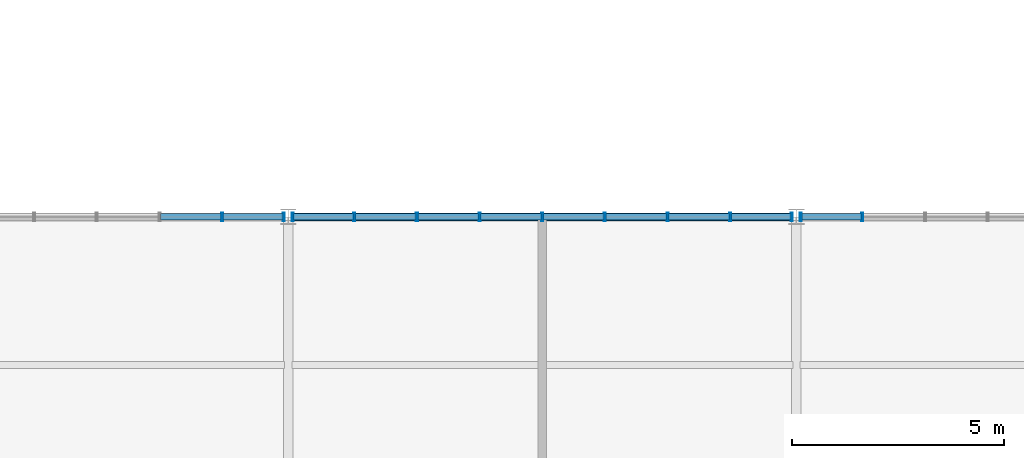
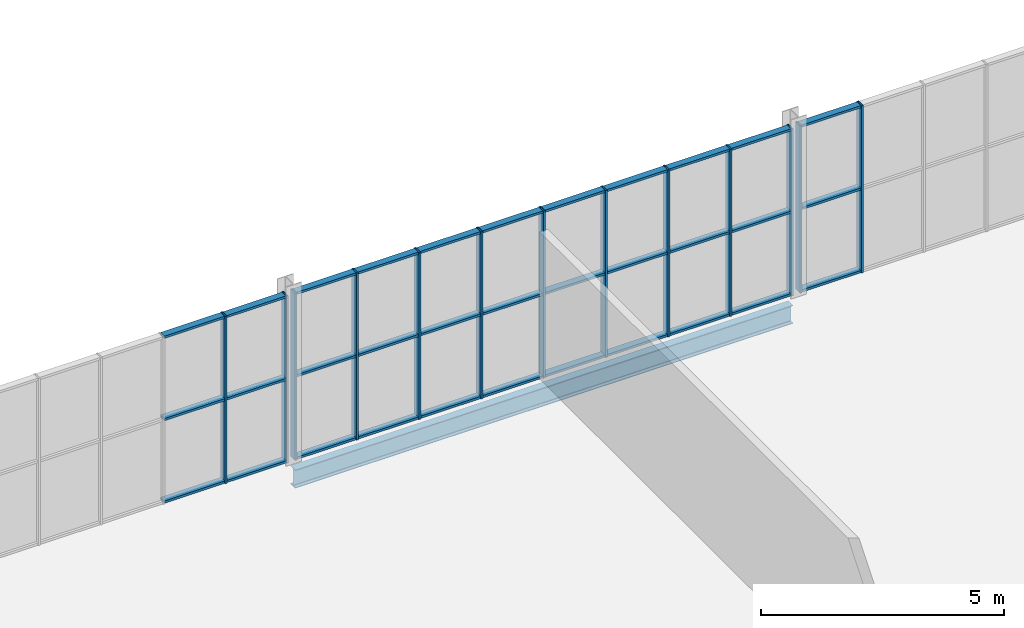
# One storey, part 227 of 324: 46 members, 1 beam, 3 elements without a shape of their own.
"""IFC4 building model written with IfcOpenShell, lengths in metres."""

from ifc_helpers import new_model, si_unit, direction, frame, origin, origin_2d, place, context, subcontext, project, spatial, hollow_rectangle, i_section, extrude, material, layer, layer_set, material_profile, profile_set, type_object, element, aggregate, save


model = new_model("IFC4")

# Units and contexts
model_context = context("Model", 3, precision=1e-05, world=origin(), true_north=direction((0.0, 1.0)))
body_context = subcontext(model_context, "Body", "Model", "MODEL_VIEW")
ifc_project = project(units=[si_unit("LENGTHUNIT", "METRE"), si_unit("AREAUNIT", "SQUARE_METRE"), si_unit("VOLUMEUNIT", "CUBIC_METRE"), si_unit("PLANEANGLEUNIT", "RADIAN"), si_unit("MASSUNIT", "GRAM", prefix="KILO")], contexts=[model_context])

# Site, building, storey
site_placement = place(None, origin())
site = spatial("IfcSite", under=ifc_project, at=site_placement, CompositionType="ELEMENT")
building_placement = place(site_placement, origin())
building = spatial("IfcBuilding", under=site, at=building_placement, Name="Solvenia Promenade Tram Depot", CompositionType="ELEMENT")
storey_placement = place(building_placement, frame((0.0, 0.0, 4.5)))
storey = spatial("IfcBuildingStorey", under=building, at=storey_placement, Name="L01", CompositionType="ELEMENT", Elevation=4.5)

# Curtain wall, members
ifc_material_1 = material(Name="Anodized aluminium AW-6063 T6", Category="aluminium")
ifc_layer = layer(ifc_material_1, 0.080078125, Name="Anodized aluminium AW-6063 T6", Category="aluminium")
ifc_layer_set = layer_set([ifc_layer], Name="Anodized aluminium AW-6063 T6")
curtain_wall_type = type_object("IfcCurtainWallType", Name="CW-Clerest-1500", PredefinedType="NOTDEFINED", material=ifc_layer_set)
curtain_wall_1_placement = place(storey_placement, origin())
curtain_wall_1 = element("IfcCurtainWall", 1, at=curtain_wall_1_placement, inside=storey, type_object=curtain_wall_type, Name="Curtain Wall CW-V2N-L1-150", PredefinedType="NOTDEFINED")
ifc_material_profile_1 = material_profile(ifc_material_1, hollow_rectangle(XDim=0.199951171875, YDim=0.048095703125, WallThickness=0.00390625, at=origin_2d()), Name="ALU-M3", Category="aluminium")
ifc_profile_set_1 = profile_set([ifc_material_profile_1], Name="Anodized aluminium AW-6063 T6")
member_type_1 = type_object("IfcMemberType", Name="CWM-Mullion-3", PredefinedType="MULLION", material=ifc_profile_set_1)
member_1_placement = place(storey_placement, frame((160.43994140625, 66.0, 0.0), z_axis=(0.0, 0.0, 1.0), x_axis=(0.0, 1.0, 0.0)))
member_1 = element("IfcMember", 2, at=member_1_placement, type_object=member_type_1, Name="CW-4 mullion 8", PredefinedType="MULLION", context=body_context, shape_type="SweptSolid", body=[
    extrude(hollow_rectangle(XDim=0.199951171875, YDim=0.048095703125, WallThickness=0.00390625, at=origin_2d()), origin(), (0.0, 0.0, 1.0), 4.199951171875),
])
member_2_placement = place(storey_placement, frame((161.89599609375, 66.0, 0.0), z_axis=(0.0, 0.0, 1.0), x_axis=(0.0, 1.0, 0.0)))
member_2 = element("IfcMember", 3, at=member_2_placement, type_object=member_type_1, Name="CW-4 mullion 9", PredefinedType="MULLION", context=body_context, shape_type="SweptSolid", body=[
    extrude(hollow_rectangle(XDim=0.199951171875, YDim=0.048095703125, WallThickness=0.00390625, at=origin_2d()), origin(), (0.0, 0.0, 1.0), 4.199951171875),
])

curtain_wall_2_placement = place(storey_placement, origin())
curtain_wall_2 = element("IfcCurtainWall", 4, at=curtain_wall_2_placement, inside=storey, type_object=curtain_wall_type, Name="Curtain Wall CW-V2N-L1-162", PredefinedType="NOTDEFINED")
member_3_placement = place(storey_placement, frame((162.10400390625, 66.0, 0.0), z_axis=(0.0, 0.0, 1.0), x_axis=(0.0, 1.0, 0.0)))
member_3 = element("IfcMember", 5, at=member_3_placement, type_object=member_type_1, Name="CW-4 mullion 1", PredefinedType="MULLION", context=body_context, shape_type="SweptSolid", body=[
    extrude(hollow_rectangle(XDim=0.199951171875, YDim=0.048095703125, WallThickness=0.00390625, at=origin_2d()), origin(), (0.0, 0.0, 1.0), 4.199951171875),
])
member_4_placement = place(storey_placement, frame((163.56005859375, 66.0, 0.0), z_axis=(0.0, 0.0, 1.0), x_axis=(0.0, 1.0, 0.0)))
member_4 = element("IfcMember", 6, at=member_4_placement, type_object=member_type_1, Name="CW-4 mullion 2", PredefinedType="MULLION", context=body_context, shape_type="SweptSolid", body=[
    extrude(hollow_rectangle(XDim=0.199951171875, YDim=0.048095703125, WallThickness=0.00390625, at=origin_2d()), origin(), (0.0, 0.0, 1.0), 4.199951171875),
])
member_5_placement = place(storey_placement, frame((165.0400390625, 66.0, 0.0), z_axis=(0.0, 0.0, 1.0), x_axis=(0.0, 1.0, 0.0)))
member_5 = element("IfcMember", 7, at=member_5_placement, type_object=member_type_1, Name="CW-4 mullion 3", PredefinedType="MULLION", context=body_context, shape_type="SweptSolid", body=[
    extrude(hollow_rectangle(XDim=0.199951171875, YDim=0.048095703125, WallThickness=0.00390625, at=origin_2d()), origin(), (0.0, 0.0, 1.0), 4.199951171875),
])
member_6_placement = place(storey_placement, frame((166.52001953125, 66.0, 0.0), z_axis=(0.0, 0.0, 1.0), x_axis=(0.0, 1.0, 0.0)))
member_6 = element("IfcMember", 8, at=member_6_placement, type_object=member_type_1, Name="CW-4 mullion 4", PredefinedType="MULLION", context=body_context, shape_type="SweptSolid", body=[
    extrude(hollow_rectangle(XDim=0.199951171875, YDim=0.048095703125, WallThickness=0.00390625, at=origin_2d()), origin(), (0.0, 0.0, 1.0), 4.199951171875),
])
member_7_placement = place(storey_placement, frame((168.0, 66.0, 0.0), z_axis=(0.0, 0.0, 1.0), x_axis=(0.0, 1.0, 0.0)))
member_7 = element("IfcMember", 9, at=member_7_placement, type_object=member_type_1, Name="CW-4 mullion 5", PredefinedType="MULLION", context=body_context, shape_type="SweptSolid", body=[
    extrude(hollow_rectangle(XDim=0.199951171875, YDim=0.048095703125, WallThickness=0.00390625, at=origin_2d()), origin(), (0.0, 0.0, 1.0), 4.199951171875),
])
member_8_placement = place(storey_placement, frame((169.47998046875, 66.0, 0.0), z_axis=(0.0, 0.0, 1.0), x_axis=(0.0, 1.0, 0.0)))
member_8 = element("IfcMember", 10, at=member_8_placement, type_object=member_type_1, Name="CW-4 mullion 6", PredefinedType="MULLION", context=body_context, shape_type="SweptSolid", body=[
    extrude(hollow_rectangle(XDim=0.199951171875, YDim=0.048095703125, WallThickness=0.00390625, at=origin_2d()), origin(), (0.0, 0.0, 1.0), 4.199951171875),
])
member_9_placement = place(storey_placement, frame((170.9599609375, 66.0, 0.0), z_axis=(0.0, 0.0, 1.0), x_axis=(0.0, 1.0, 0.0)))
member_9 = element("IfcMember", 11, at=member_9_placement, type_object=member_type_1, Name="CW-4 mullion 7", PredefinedType="MULLION", context=body_context, shape_type="SweptSolid", body=[
    extrude(hollow_rectangle(XDim=0.199951171875, YDim=0.048095703125, WallThickness=0.00390625, at=origin_2d()), origin(), (0.0, 0.0, 1.0), 4.199951171875),
])
member_10_placement = place(storey_placement, frame((172.43994140625, 66.0, 0.0), z_axis=(0.0, 0.0, 1.0), x_axis=(0.0, 1.0, 0.0)))
member_10 = element("IfcMember", 12, at=member_10_placement, type_object=member_type_1, Name="CW-4 mullion 8", PredefinedType="MULLION", context=body_context, shape_type="SweptSolid", body=[
    extrude(hollow_rectangle(XDim=0.199951171875, YDim=0.048095703125, WallThickness=0.00390625, at=origin_2d()), origin(), (0.0, 0.0, 1.0), 4.199951171875),
])
member_11_placement = place(storey_placement, frame((173.89599609375, 66.0, 0.0), z_axis=(0.0, 0.0, 1.0), x_axis=(0.0, 1.0, 0.0)))
member_11 = element("IfcMember", 13, at=member_11_placement, type_object=member_type_1, Name="CW-4 mullion 9", PredefinedType="MULLION", context=body_context, shape_type="SweptSolid", body=[
    extrude(hollow_rectangle(XDim=0.199951171875, YDim=0.048095703125, WallThickness=0.00390625, at=origin_2d()), origin(), (0.0, 0.0, 1.0), 4.199951171875),
])

curtain_wall_3_placement = place(storey_placement, origin())
curtain_wall_3 = element("IfcCurtainWall", 14, at=curtain_wall_3_placement, inside=storey, type_object=curtain_wall_type, Name="Curtain Wall CW-V2N-L1-174", PredefinedType="NOTDEFINED")
member_12_placement = place(storey_placement, frame((174.10400390625, 66.0, 0.0), z_axis=(0.0, 0.0, 1.0), x_axis=(0.0, 1.0, 0.0)))
member_12 = element("IfcMember", 15, at=member_12_placement, type_object=member_type_1, Name="CW-4 mullion 1", PredefinedType="MULLION", context=body_context, shape_type="SweptSolid", body=[
    extrude(hollow_rectangle(XDim=0.199951171875, YDim=0.048095703125, WallThickness=0.00390625, at=origin_2d()), origin(), (0.0, 0.0, 1.0), 4.199951171875),
])
member_13_placement = place(storey_placement, frame((175.56005859375, 66.0, 0.0), z_axis=(0.0, 0.0, 1.0), x_axis=(0.0, 1.0, 0.0)))
member_13 = element("IfcMember", 16, at=member_13_placement, type_object=member_type_1, Name="CW-4 mullion 2", PredefinedType="MULLION", context=body_context, shape_type="SweptSolid", body=[
    extrude(hollow_rectangle(XDim=0.199951171875, YDim=0.048095703125, WallThickness=0.00390625, at=origin_2d()), origin(), (0.0, 0.0, 1.0), 4.199951171875),
])

# Member
ifc_material_profile_2 = material_profile(ifc_material_1, hollow_rectangle(XDim=0.159912109375, YDim=0.05810546875, WallThickness=0.00390625, at=origin_2d()), Name="ALU-T3", Category="aluminium")
ifc_profile_set_2 = profile_set([ifc_material_profile_2], Name="Anodized aluminium AW-6063 T6")
member_type_2 = type_object("IfcMemberType", Name="CWT-Transom-3", PredefinedType="USERDEFINED", material=ifc_profile_set_2)
member_14_placement = place(storey_placement, frame((158.98388671875, 66.0, 0.029052734375), z_axis=(1.0, 0.0, 0.0), x_axis=(0.0, 1.0, 0.0)))
member_14 = element("IfcMember", 17, at=member_14_placement, type_object=member_type_2, Name="CW-4 transom 7.1", ObjectType="TRANSOM", PredefinedType="USERDEFINED", context=body_context, shape_type="SweptSolid", body=[
    extrude(hollow_rectangle(XDim=0.159912109375, YDim=0.05810546875, WallThickness=0.00390625, at=origin_2d()), origin(), (0.0, 0.0, 1.0), 1.43212890625),
])

member_15_placement = place(storey_placement, frame((158.98388671875, 66.0, 2.10009765625), z_axis=(1.0, 0.0, 0.0), x_axis=(0.0, 1.0, 0.0)))
member_15 = element("IfcMember", 18, at=member_15_placement, type_object=member_type_2, Name="CW-4 transom 7.2", ObjectType="TRANSOM", PredefinedType="USERDEFINED", context=body_context, shape_type="SweptSolid", body=[
    extrude(hollow_rectangle(XDim=0.159912109375, YDim=0.05810546875, WallThickness=0.00390625, at=origin_2d()), origin(), (0.0, 0.0, 1.0), 1.43212890625),
])

member_16_placement = place(storey_placement, frame((158.98388671875, 66.0, 4.1708984375), z_axis=(1.0, 0.0, 0.0), x_axis=(0.0, 1.0, 0.0)))
member_16 = element("IfcMember", 19, at=member_16_placement, type_object=member_type_2, Name="CW-4 transom 7.3", ObjectType="TRANSOM", PredefinedType="USERDEFINED", context=body_context, shape_type="SweptSolid", body=[
    extrude(hollow_rectangle(XDim=0.159912109375, YDim=0.05810546875, WallThickness=0.00390625, at=origin_2d()), origin(), (0.0, 0.0, 1.0), 1.43212890625),
])

member_17_placement = place(storey_placement, frame((160.464111328125, 66.0, 0.029052734375), z_axis=(1.0, 0.0, 0.0), x_axis=(0.0, 1.0, 0.0)))
member_17 = element("IfcMember", 20, at=member_17_placement, type_object=member_type_2, Name="CW-4 transom 8.1", ObjectType="TRANSOM", PredefinedType="USERDEFINED", context=body_context, shape_type="SweptSolid", body=[
    extrude(hollow_rectangle(XDim=0.159912109375, YDim=0.05810546875, WallThickness=0.00390625, at=origin_2d()), origin(), (0.0, 0.0, 1.0), 1.407958984375),
])

member_18_placement = place(storey_placement, frame((160.464111328125, 66.0, 2.10009765625), z_axis=(1.0, 0.0, 0.0), x_axis=(0.0, 1.0, 0.0)))
member_18 = element("IfcMember", 21, at=member_18_placement, type_object=member_type_2, Name="CW-4 transom 8.2", ObjectType="TRANSOM", PredefinedType="USERDEFINED", context=body_context, shape_type="SweptSolid", body=[
    extrude(hollow_rectangle(XDim=0.159912109375, YDim=0.05810546875, WallThickness=0.00390625, at=origin_2d()), origin(), (0.0, 0.0, 1.0), 1.407958984375),
])

member_19_placement = place(storey_placement, frame((160.464111328125, 66.0, 4.1708984375), z_axis=(1.0, 0.0, 0.0), x_axis=(0.0, 1.0, 0.0)))
member_19 = element("IfcMember", 22, at=member_19_placement, type_object=member_type_2, Name="CW-4 transom 8.3", ObjectType="TRANSOM", PredefinedType="USERDEFINED", context=body_context, shape_type="SweptSolid", body=[
    extrude(hollow_rectangle(XDim=0.159912109375, YDim=0.05810546875, WallThickness=0.00390625, at=origin_2d()), origin(), (0.0, 0.0, 1.0), 1.407958984375),
])

aggregate(curtain_wall_1, [member_1, member_2, member_14, member_15, member_16, member_17, member_18, member_19])

member_20_placement = place(storey_placement, frame((162.1279296875, 66.0, 0.029052734375), z_axis=(1.0, 0.0, 0.0), x_axis=(0.0, 1.0, 0.0)))
member_20 = element("IfcMember", 23, at=member_20_placement, type_object=member_type_2, Name="CW-4 transom 1.1", ObjectType="TRANSOM", PredefinedType="USERDEFINED", context=body_context, shape_type="SweptSolid", body=[
    extrude(hollow_rectangle(XDim=0.159912109375, YDim=0.05810546875, WallThickness=0.00390625, at=origin_2d()), origin(), (0.0, 0.0, 1.0), 1.407958984375),
])

member_21_placement = place(storey_placement, frame((162.1279296875, 66.0, 2.10009765625), z_axis=(1.0, 0.0, 0.0), x_axis=(0.0, 1.0, 0.0)))
member_21 = element("IfcMember", 24, at=member_21_placement, type_object=member_type_2, Name="CW-4 transom 1.2", ObjectType="TRANSOM", PredefinedType="USERDEFINED", context=body_context, shape_type="SweptSolid", body=[
    extrude(hollow_rectangle(XDim=0.159912109375, YDim=0.05810546875, WallThickness=0.00390625, at=origin_2d()), origin(), (0.0, 0.0, 1.0), 1.407958984375),
])

member_22_placement = place(storey_placement, frame((162.1279296875, 66.0, 4.1708984375), z_axis=(1.0, 0.0, 0.0), x_axis=(0.0, 1.0, 0.0)))
member_22 = element("IfcMember", 25, at=member_22_placement, type_object=member_type_2, Name="CW-4 transom 1.3", ObjectType="TRANSOM", PredefinedType="USERDEFINED", context=body_context, shape_type="SweptSolid", body=[
    extrude(hollow_rectangle(XDim=0.159912109375, YDim=0.05810546875, WallThickness=0.00390625, at=origin_2d()), origin(), (0.0, 0.0, 1.0), 1.407958984375),
])

member_23_placement = place(storey_placement, frame((163.583984375, 66.0, 0.029052734375), z_axis=(1.0, 0.0, 0.0), x_axis=(0.0, 1.0, 0.0)))
member_23 = element("IfcMember", 26, at=member_23_placement, type_object=member_type_2, Name="CW-4 transom 2.1", ObjectType="TRANSOM", PredefinedType="USERDEFINED", context=body_context, shape_type="SweptSolid", body=[
    extrude(hollow_rectangle(XDim=0.159912109375, YDim=0.05810546875, WallThickness=0.00390625, at=origin_2d()), origin(), (0.0, 0.0, 1.0), 1.43212890625),
])

member_24_placement = place(storey_placement, frame((163.583984375, 66.0, 2.10009765625), z_axis=(1.0, 0.0, 0.0), x_axis=(0.0, 1.0, 0.0)))
member_24 = element("IfcMember", 27, at=member_24_placement, type_object=member_type_2, Name="CW-4 transom 2.2", ObjectType="TRANSOM", PredefinedType="USERDEFINED", context=body_context, shape_type="SweptSolid", body=[
    extrude(hollow_rectangle(XDim=0.159912109375, YDim=0.05810546875, WallThickness=0.00390625, at=origin_2d()), origin(), (0.0, 0.0, 1.0), 1.43212890625),
])

member_25_placement = place(storey_placement, frame((163.583984375, 66.0, 4.1708984375), z_axis=(1.0, 0.0, 0.0), x_axis=(0.0, 1.0, 0.0)))
member_25 = element("IfcMember", 28, at=member_25_placement, type_object=member_type_2, Name="CW-4 transom 2.3", ObjectType="TRANSOM", PredefinedType="USERDEFINED", context=body_context, shape_type="SweptSolid", body=[
    extrude(hollow_rectangle(XDim=0.159912109375, YDim=0.05810546875, WallThickness=0.00390625, at=origin_2d()), origin(), (0.0, 0.0, 1.0), 1.43212890625),
])

member_26_placement = place(storey_placement, frame((165.06396484375, 66.0, 0.029052734375), z_axis=(1.0, 0.0, 0.0), x_axis=(0.0, 1.0, 0.0)))
member_26 = element("IfcMember", 29, at=member_26_placement, type_object=member_type_2, Name="CW-4 transom 3.1", ObjectType="TRANSOM", PredefinedType="USERDEFINED", context=body_context, shape_type="SweptSolid", body=[
    extrude(hollow_rectangle(XDim=0.159912109375, YDim=0.05810546875, WallThickness=0.00390625, at=origin_2d()), origin(), (0.0, 0.0, 1.0), 1.43212890625),
])

member_27_placement = place(storey_placement, frame((165.06396484375, 66.0, 2.10009765625), z_axis=(1.0, 0.0, 0.0), x_axis=(0.0, 1.0, 0.0)))
member_27 = element("IfcMember", 30, at=member_27_placement, type_object=member_type_2, Name="CW-4 transom 3.2", ObjectType="TRANSOM", PredefinedType="USERDEFINED", context=body_context, shape_type="SweptSolid", body=[
    extrude(hollow_rectangle(XDim=0.159912109375, YDim=0.05810546875, WallThickness=0.00390625, at=origin_2d()), origin(), (0.0, 0.0, 1.0), 1.43212890625),
])

member_28_placement = place(storey_placement, frame((165.06396484375, 66.0, 4.1708984375), z_axis=(1.0, 0.0, 0.0), x_axis=(0.0, 1.0, 0.0)))
member_28 = element("IfcMember", 31, at=member_28_placement, type_object=member_type_2, Name="CW-4 transom 3.3", ObjectType="TRANSOM", PredefinedType="USERDEFINED", context=body_context, shape_type="SweptSolid", body=[
    extrude(hollow_rectangle(XDim=0.159912109375, YDim=0.05810546875, WallThickness=0.00390625, at=origin_2d()), origin(), (0.0, 0.0, 1.0), 1.43212890625),
])

member_29_placement = place(storey_placement, frame((166.5439453125, 66.0, 0.029052734375), z_axis=(1.0, 0.0, 0.0), x_axis=(0.0, 1.0, 0.0)))
member_29 = element("IfcMember", 32, at=member_29_placement, type_object=member_type_2, Name="CW-4 transom 4.1", ObjectType="TRANSOM", PredefinedType="USERDEFINED", context=body_context, shape_type="SweptSolid", body=[
    extrude(hollow_rectangle(XDim=0.159912109375, YDim=0.05810546875, WallThickness=0.00390625, at=origin_2d()), origin(), (0.0, 0.0, 1.0), 1.43212890625),
])

member_30_placement = place(storey_placement, frame((166.5439453125, 66.0, 2.10009765625), z_axis=(1.0, 0.0, 0.0), x_axis=(0.0, 1.0, 0.0)))
member_30 = element("IfcMember", 33, at=member_30_placement, type_object=member_type_2, Name="CW-4 transom 4.2", ObjectType="TRANSOM", PredefinedType="USERDEFINED", context=body_context, shape_type="SweptSolid", body=[
    extrude(hollow_rectangle(XDim=0.159912109375, YDim=0.05810546875, WallThickness=0.00390625, at=origin_2d()), origin(), (0.0, 0.0, 1.0), 1.43212890625),
])

member_31_placement = place(storey_placement, frame((166.5439453125, 66.0, 4.1708984375), z_axis=(1.0, 0.0, 0.0), x_axis=(0.0, 1.0, 0.0)))
member_31 = element("IfcMember", 34, at=member_31_placement, type_object=member_type_2, Name="CW-4 transom 4.3", ObjectType="TRANSOM", PredefinedType="USERDEFINED", context=body_context, shape_type="SweptSolid", body=[
    extrude(hollow_rectangle(XDim=0.159912109375, YDim=0.05810546875, WallThickness=0.00390625, at=origin_2d()), origin(), (0.0, 0.0, 1.0), 1.43212890625),
])

member_32_placement = place(storey_placement, frame((168.02392578125, 66.0, 0.029052734375), z_axis=(1.0, 0.0, 0.0), x_axis=(0.0, 1.0, 0.0)))
member_32 = element("IfcMember", 35, at=member_32_placement, type_object=member_type_2, Name="CW-4 transom 5.1", ObjectType="TRANSOM", PredefinedType="USERDEFINED", context=body_context, shape_type="SweptSolid", body=[
    extrude(hollow_rectangle(XDim=0.159912109375, YDim=0.05810546875, WallThickness=0.00390625, at=origin_2d()), origin(), (0.0, 0.0, 1.0), 1.43212890625),
])

member_33_placement = place(storey_placement, frame((168.02392578125, 66.0, 2.10009765625), z_axis=(1.0, 0.0, 0.0), x_axis=(0.0, 1.0, 0.0)))
member_33 = element("IfcMember", 36, at=member_33_placement, type_object=member_type_2, Name="CW-4 transom 5.2", ObjectType="TRANSOM", PredefinedType="USERDEFINED", context=body_context, shape_type="SweptSolid", body=[
    extrude(hollow_rectangle(XDim=0.159912109375, YDim=0.05810546875, WallThickness=0.00390625, at=origin_2d()), origin(), (0.0, 0.0, 1.0), 1.43212890625),
])

member_34_placement = place(storey_placement, frame((168.02392578125, 66.0, 4.1708984375), z_axis=(1.0, 0.0, 0.0), x_axis=(0.0, 1.0, 0.0)))
member_34 = element("IfcMember", 37, at=member_34_placement, type_object=member_type_2, Name="CW-4 transom 5.3", ObjectType="TRANSOM", PredefinedType="USERDEFINED", context=body_context, shape_type="SweptSolid", body=[
    extrude(hollow_rectangle(XDim=0.159912109375, YDim=0.05810546875, WallThickness=0.00390625, at=origin_2d()), origin(), (0.0, 0.0, 1.0), 1.43212890625),
])

member_35_placement = place(storey_placement, frame((169.50390625, 66.0, 0.029052734375), z_axis=(1.0, 0.0, 0.0), x_axis=(0.0, 1.0, 0.0)))
member_35 = element("IfcMember", 38, at=member_35_placement, type_object=member_type_2, Name="CW-4 transom 6.1", ObjectType="TRANSOM", PredefinedType="USERDEFINED", context=body_context, shape_type="SweptSolid", body=[
    extrude(hollow_rectangle(XDim=0.159912109375, YDim=0.05810546875, WallThickness=0.00390625, at=origin_2d()), origin(), (0.0, 0.0, 1.0), 1.43212890625),
])

member_36_placement = place(storey_placement, frame((169.50390625, 66.0, 2.10009765625), z_axis=(1.0, 0.0, 0.0), x_axis=(0.0, 1.0, 0.0)))
member_36 = element("IfcMember", 39, at=member_36_placement, type_object=member_type_2, Name="CW-4 transom 6.2", ObjectType="TRANSOM", PredefinedType="USERDEFINED", context=body_context, shape_type="SweptSolid", body=[
    extrude(hollow_rectangle(XDim=0.159912109375, YDim=0.05810546875, WallThickness=0.00390625, at=origin_2d()), origin(), (0.0, 0.0, 1.0), 1.43212890625),
])

member_37_placement = place(storey_placement, frame((169.50390625, 66.0, 4.1708984375), z_axis=(1.0, 0.0, 0.0), x_axis=(0.0, 1.0, 0.0)))
member_37 = element("IfcMember", 40, at=member_37_placement, type_object=member_type_2, Name="CW-4 transom 6.3", ObjectType="TRANSOM", PredefinedType="USERDEFINED", context=body_context, shape_type="SweptSolid", body=[
    extrude(hollow_rectangle(XDim=0.159912109375, YDim=0.05810546875, WallThickness=0.00390625, at=origin_2d()), origin(), (0.0, 0.0, 1.0), 1.43212890625),
])

member_38_placement = place(storey_placement, frame((170.98388671875, 66.0, 0.029052734375), z_axis=(1.0, 0.0, 0.0), x_axis=(0.0, 1.0, 0.0)))
member_38 = element("IfcMember", 41, at=member_38_placement, type_object=member_type_2, Name="CW-4 transom 7.1", ObjectType="TRANSOM", PredefinedType="USERDEFINED", context=body_context, shape_type="SweptSolid", body=[
    extrude(hollow_rectangle(XDim=0.159912109375, YDim=0.05810546875, WallThickness=0.00390625, at=origin_2d()), origin(), (0.0, 0.0, 1.0), 1.43212890625),
])

member_39_placement = place(storey_placement, frame((170.98388671875, 66.0, 2.10009765625), z_axis=(1.0, 0.0, 0.0), x_axis=(0.0, 1.0, 0.0)))
member_39 = element("IfcMember", 42, at=member_39_placement, type_object=member_type_2, Name="CW-4 transom 7.2", ObjectType="TRANSOM", PredefinedType="USERDEFINED", context=body_context, shape_type="SweptSolid", body=[
    extrude(hollow_rectangle(XDim=0.159912109375, YDim=0.05810546875, WallThickness=0.00390625, at=origin_2d()), origin(), (0.0, 0.0, 1.0), 1.43212890625),
])

member_40_placement = place(storey_placement, frame((170.98388671875, 66.0, 4.1708984375), z_axis=(1.0, 0.0, 0.0), x_axis=(0.0, 1.0, 0.0)))
member_40 = element("IfcMember", 43, at=member_40_placement, type_object=member_type_2, Name="CW-4 transom 7.3", ObjectType="TRANSOM", PredefinedType="USERDEFINED", context=body_context, shape_type="SweptSolid", body=[
    extrude(hollow_rectangle(XDim=0.159912109375, YDim=0.05810546875, WallThickness=0.00390625, at=origin_2d()), origin(), (0.0, 0.0, 1.0), 1.43212890625),
])

member_41_placement = place(storey_placement, frame((172.464111328125, 66.0, 0.029052734375), z_axis=(1.0, 0.0, 0.0), x_axis=(0.0, 1.0, 0.0)))
member_41 = element("IfcMember", 44, at=member_41_placement, type_object=member_type_2, Name="CW-4 transom 8.1", ObjectType="TRANSOM", PredefinedType="USERDEFINED", context=body_context, shape_type="SweptSolid", body=[
    extrude(hollow_rectangle(XDim=0.159912109375, YDim=0.05810546875, WallThickness=0.00390625, at=origin_2d()), origin(), (0.0, 0.0, 1.0), 1.407958984375),
])

member_42_placement = place(storey_placement, frame((172.464111328125, 66.0, 2.10009765625), z_axis=(1.0, 0.0, 0.0), x_axis=(0.0, 1.0, 0.0)))
member_42 = element("IfcMember", 45, at=member_42_placement, type_object=member_type_2, Name="CW-4 transom 8.2", ObjectType="TRANSOM", PredefinedType="USERDEFINED", context=body_context, shape_type="SweptSolid", body=[
    extrude(hollow_rectangle(XDim=0.159912109375, YDim=0.05810546875, WallThickness=0.00390625, at=origin_2d()), origin(), (0.0, 0.0, 1.0), 1.407958984375),
])

member_43_placement = place(storey_placement, frame((172.464111328125, 66.0, 4.1708984375), z_axis=(1.0, 0.0, 0.0), x_axis=(0.0, 1.0, 0.0)))
member_43 = element("IfcMember", 46, at=member_43_placement, type_object=member_type_2, Name="CW-4 transom 8.3", ObjectType="TRANSOM", PredefinedType="USERDEFINED", context=body_context, shape_type="SweptSolid", body=[
    extrude(hollow_rectangle(XDim=0.159912109375, YDim=0.05810546875, WallThickness=0.00390625, at=origin_2d()), origin(), (0.0, 0.0, 1.0), 1.407958984375),
])

aggregate(curtain_wall_2, [member_3, member_4, member_5, member_6, member_7, member_8, member_9, member_10, member_11, member_20, member_21, member_22, member_23, member_24, member_25, member_26, member_27, member_28, member_29, member_30, member_31, member_32, member_33, member_34, member_35, member_36, member_37, member_38, member_39, member_40, member_41, member_42, member_43])

member_44_placement = place(storey_placement, frame((174.1279296875, 66.0, 0.029052734375), z_axis=(1.0, 0.0, 0.0), x_axis=(0.0, 1.0, 0.0)))
member_44 = element("IfcMember", 47, at=member_44_placement, type_object=member_type_2, Name="CW-4 transom 1.1", ObjectType="TRANSOM", PredefinedType="USERDEFINED", context=body_context, shape_type="SweptSolid", body=[
    extrude(hollow_rectangle(XDim=0.159912109375, YDim=0.05810546875, WallThickness=0.00390625, at=origin_2d()), origin(), (0.0, 0.0, 1.0), 1.407958984375),
])

member_45_placement = place(storey_placement, frame((174.1279296875, 66.0, 2.10009765625), z_axis=(1.0, 0.0, 0.0), x_axis=(0.0, 1.0, 0.0)))
member_45 = element("IfcMember", 48, at=member_45_placement, type_object=member_type_2, Name="CW-4 transom 1.2", ObjectType="TRANSOM", PredefinedType="USERDEFINED", context=body_context, shape_type="SweptSolid", body=[
    extrude(hollow_rectangle(XDim=0.159912109375, YDim=0.05810546875, WallThickness=0.00390625, at=origin_2d()), origin(), (0.0, 0.0, 1.0), 1.407958984375),
])

member_46_placement = place(storey_placement, frame((174.1279296875, 66.0, 4.1708984375), z_axis=(1.0, 0.0, 0.0), x_axis=(0.0, 1.0, 0.0)))
member_46 = element("IfcMember", 49, at=member_46_placement, type_object=member_type_2, Name="CW-4 transom 1.3", ObjectType="TRANSOM", PredefinedType="USERDEFINED", context=body_context, shape_type="SweptSolid", body=[
    extrude(hollow_rectangle(XDim=0.159912109375, YDim=0.05810546875, WallThickness=0.00390625, at=origin_2d()), origin(), (0.0, 0.0, 1.0), 1.407958984375),
])

aggregate(curtain_wall_3, [member_12, member_13, member_44, member_45, member_46])

# Beam
ifc_material_2 = material(Name="Structural steel ASTM A992 Gr. 50", Category="steel")
ifc_material_profile_3 = material_profile(ifc_material_2, i_section(OverallWidth=0.19091796875, OverallDepth=0.4599609375, WebThickness=0.010009765625, FlangeThickness=0.01611328125, FilletRadius=0.012939453125, at=origin_2d()), Name="W460x82", Category="steel")
ifc_profile_set_3 = profile_set([ifc_material_profile_3], Name="Structural steel ASTM A992 Gr. 50")
beam_type = type_object("IfcBeamType", Name="Spandrel-W460x82", PredefinedType="SPANDREL", material=ifc_profile_set_3)
beam_placement = place(storey_placement, frame((162.0849609375, 66.0, -0.469970703125), z_axis=(1.0, 0.0, 0.0), x_axis=(0.0, 1.0, 0.0)))
element("IfcBeam", 50, at=beam_placement, inside=storey, type_object=beam_type, Name="Perimeter Spandrel BM-L01-0139", PredefinedType="SPANDREL", context=body_context, shape_type="SweptSolid", body=[
    extrude(i_section(OverallWidth=0.19091796875, OverallDepth=0.4599609375, WebThickness=0.010009765625, FlangeThickness=0.01611328125, FilletRadius=0.012939453125, at=origin_2d()), origin(), (0.0, 0.0, 1.0), 11.830078125),
])

save(model, "model.ifc")
